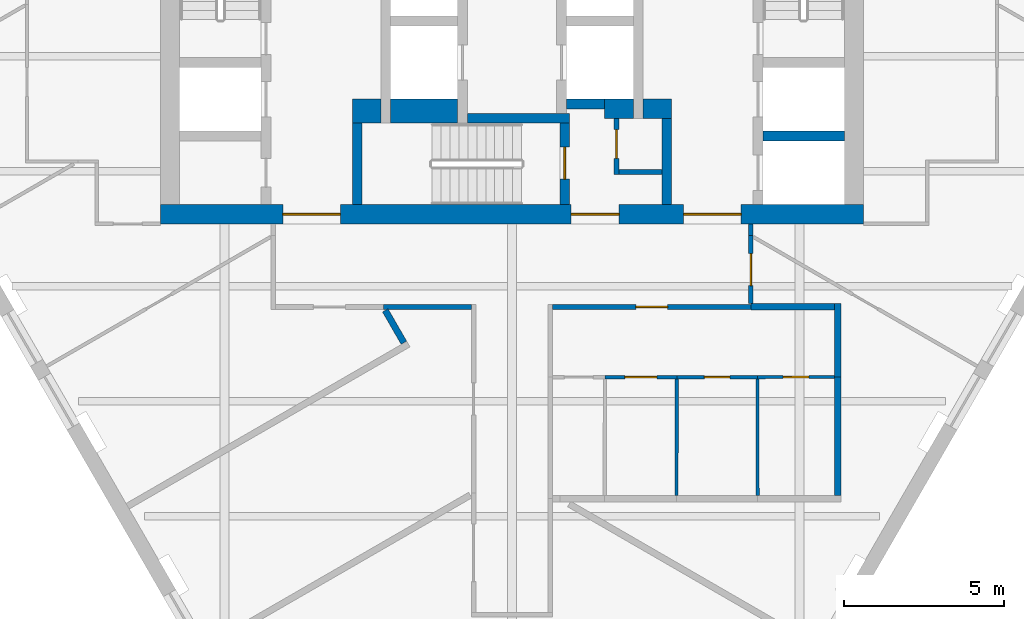
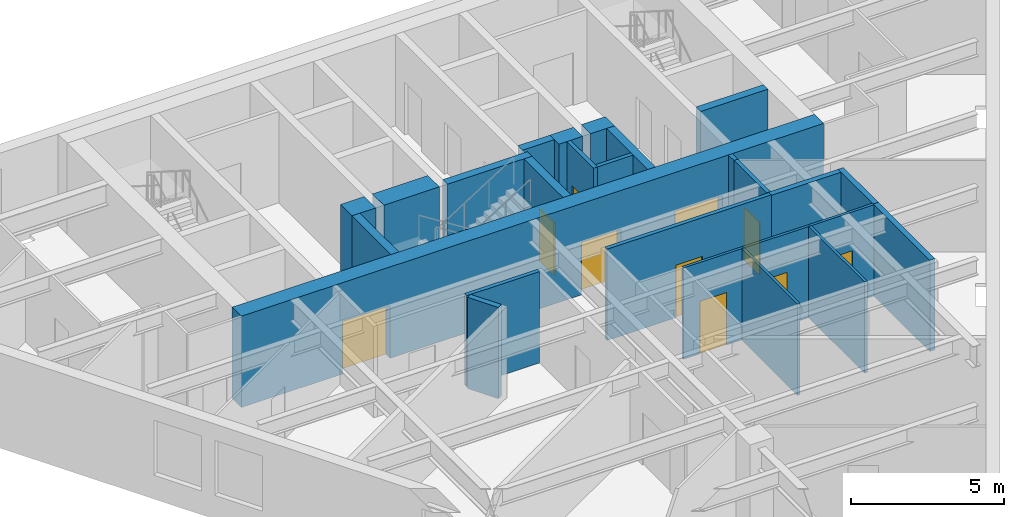
# One storey, part 3 of 7: 26 walls, 10 doors, 10 openings.
"""IFC4 building model written with IfcOpenShell, lengths in metres."""

from ifc_helpers import new_model, si_unit, direction, frame, frame_2d, origin, place, context, subcontext, project, spatial, rectangle, extrude, material, layer, layer_set, type_object, element, fill, save


model = new_model("IFC4")

# Units and contexts
model_context = context("Model", 3, precision=1e-05, world=origin(), true_north=direction((0.0, 1.0)))
body_context = subcontext(model_context, "Body", "Model", "MODEL_VIEW")
ifc_project = project(units=[si_unit("LENGTHUNIT", "METRE"), si_unit("AREAUNIT", "SQUARE_METRE"), si_unit("VOLUMEUNIT", "CUBIC_METRE"), si_unit("PLANEANGLEUNIT", "RADIAN"), si_unit("MASSUNIT", "GRAM", prefix="KILO")], contexts=[model_context])

# Site, building, storey
site_placement = place(None, origin())
site = spatial("IfcSite", under=ifc_project, at=site_placement, CompositionType="ELEMENT")
building_placement = place(site_placement, origin())
building = spatial("IfcBuilding", under=site, at=building_placement, Name="Aloe Facet Convention Tower", CompositionType="ELEMENT")
storey_placement = place(building_placement, frame((0.0, 0.0, 171.5)))
storey = spatial("IfcBuildingStorey", under=building, at=storey_placement, Name="L43", CompositionType="ELEMENT", Elevation=171.5)

# Wall, opening, door
ifc_material_1 = material(Name="Concrete blockwork partition", Category="masonry")
ifc_layer_1 = layer(ifc_material_1, 0.14990234375)
ifc_layer_set_1 = layer_set([ifc_layer_1], Name="CR-W-PART150")
wall_type_1 = type_object("IfcWallType", Name="CR-W-PART150", PredefinedType="PARTITIONING", material=ifc_layer_set_1)
wall_1_placement = place(storey_placement, frame((83.27490234375, 125.85009765625, 0.0), z_axis=(0.0, 0.0, 1.0), x_axis=(0.0, -1.0, 0.0)))
wall_1 = element("IfcWall", 1, at=wall_1_placement, inside=storey, type_object=wall_type_1, Name="Core partition L43-022", PredefinedType="PARTITIONING", context=body_context, shape_type="SweptSolid", body=[
    extrude(rectangle(XDim=1.75, YDim=0.14990234375, at=frame_2d((0.875, 0.0))), origin(), (0.0, 0.0, 1.0), 3.64990234375),
])
opening_1_placement = place(wall_1_placement, frame((0.35009765625, 0.0, 0.0)))
opening_1 = element("IfcOpeningElement", 2, at=opening_1_placement, cuts=wall_1, Name="Opening L43-CD12", PredefinedType="OPENING", context=body_context, shape_type="SweptSolid", body=[
    extrude(rectangle(XDim=0.89990234375, YDim=2.10009765625, at=frame_2d((0.449951171875, 1.050048828125))), frame((0.0, 0.0849609375, 0.0), z_axis=(0.0, -1.0, 0.0), x_axis=(1.0, 0.0, 0.0)), (0.0, 0.0, 1.0), 0.169921875),
])
ifc_material_2 = material(Name="Steel fire-resisting door set FD60", Category="steel")
door_type_1 = type_object("IfcDoorType", Name="CR-D-REFUGE-900-FD60-SRIGHT", OperationType="SINGLE_SWING_RIGHT", PredefinedType="DOOR", material=ifc_material_2)
door_1_placement = place(opening_1_placement, origin())
door_1 = element("IfcDoor", 3, at=door_1_placement, inside=storey, type_object=door_type_1, Name="Core door L43-CD12", OperationType="SINGLE_SWING_RIGHT", OverallHeight=2.10009765625, OverallWidth=0.89990234375, PredefinedType="DOOR", context=body_context, shape_type="SweptSolid", body=[
    extrude(rectangle(XDim=0.89990234375, YDim=2.10009765625, at=frame_2d((0.449951171875, 1.050048828125))), frame((0.0, 0.02490234375, 0.0), z_axis=(0.0, -1.0, 0.0), x_axis=(1.0, 0.0, 0.0)), (0.0, 0.0, 1.0), 0.050048828125),
])
fill(opening_1, door_1)

# Walls
wall_2_placement = place(storey_placement, frame((83.35009765625, 124.175048828125, 0.0), z_axis=(0.0, 0.0, 1.0), x_axis=(1.0, 0.0, 0.0)))
element("IfcWall", 4, at=wall_2_placement, inside=storey, type_object=wall_type_1, Name="Core partition L43-023", PredefinedType="PARTITIONING", context=body_context, shape_type="SweptSolid", body=[
    extrude(rectangle(XDim=1.349853515625, YDim=0.14990234375, at=frame_2d((0.6748046875, 0.0))), origin(), (0.0, 0.0, 1.0), 3.64990234375),
])
ifc_material_3 = material(Name="Concrete C60/75", Category="concrete")
ifc_layer_2 = layer(ifc_material_3, 0.300048828125)
ifc_layer_set_2 = layer_set([ifc_layer_2], Name="CR-W-RC300-C6075")
wall_type_2 = type_object("IfcWallType", Name="CR-W-RC300-C6075", PredefinedType="SOLIDWALL", material=ifc_layer_set_2)
wall_3_placement = place(storey_placement, frame((75.14990234375, 125.699951171875, 0.0), z_axis=(0.0, 0.0, 1.0), x_axis=(0.0, -1.0, 0.0)))
element("IfcWall", 5, at=wall_3_placement, inside=storey, type_object=wall_type_2, Name="Core wall L43-009", PredefinedType="SOLIDWALL", context=body_context, shape_type="SweptSolid", body=[
    extrude(rectangle(XDim=2.550048828125, YDim=0.300048828125, at=frame_2d((1.27490234375, 0.0))), origin(), (0.0, 0.0, 1.0), 3.64990234375),
])
wall_4_placement = place(storey_placement, frame((78.60009765625, 125.85009765625, 0.0), z_axis=(0.0, 0.0, 1.0), x_axis=(1.0, 0.0, 0.0)))
element("IfcWall", 6, at=wall_4_placement, inside=storey, type_object=wall_type_2, Name="Core wall L43-015", PredefinedType="SOLIDWALL", context=body_context, shape_type="SweptSolid", body=[
    extrude(rectangle(XDim=3.199951171875, YDim=0.300048828125, at=frame_2d((1.60009765625, 0.0))), origin(), (0.0, 0.0, 1.0), 3.64990234375),
])

# Wall, opening, door
wall_5_placement = place(storey_placement, frame((81.64990234375, 125.699951171875, 0.0), z_axis=(0.0, 0.0, 1.0), x_axis=(0.0, -1.0, 0.0)))
wall_5 = element("IfcWall", 7, at=wall_5_placement, inside=storey, type_object=wall_type_2, Name="Core wall L43-017", PredefinedType="SOLIDWALL", context=body_context, shape_type="SweptSolid", body=[
    extrude(rectangle(XDim=2.550048828125, YDim=0.300048828125, at=frame_2d((1.27490234375, 0.0))), origin(), (0.0, 0.0, 1.0), 3.64990234375),
])
opening_2_placement = place(wall_5_placement, frame((0.75, 0.0, 0.0)))
opening_2 = element("IfcOpeningElement", 8, at=opening_2_placement, cuts=wall_5, Name="Opening L43-CD18", PredefinedType="OPENING", context=body_context, shape_type="SweptSolid", body=[
    extrude(rectangle(XDim=1.0, YDim=2.10009765625, at=frame_2d((0.5, 1.050048828125))), frame((0.0, 0.16015625, 0.0), z_axis=(0.0, -1.0, 0.0), x_axis=(1.0, 0.0, 0.0)), (0.0, 0.0, 1.0), 0.320068359375),
])
ifc_material_4 = material(Name="Steel fire-resisting door set FD120", Category="steel")
door_type_2 = type_object("IfcDoorType", Name="CR-D-STAIR-1000-FD120-SLEFT", OperationType="SINGLE_SWING_LEFT", PredefinedType="DOOR", material=ifc_material_4)
door_2_placement = place(opening_2_placement, origin())
door_2 = element("IfcDoor", 9, at=door_2_placement, inside=storey, type_object=door_type_2, Name="Core door L43-CD18", OperationType="SINGLE_SWING_LEFT", OverallHeight=2.10009765625, OverallWidth=1.0, PredefinedType="DOOR", context=body_context, shape_type="SweptSolid", body=[
    extrude(rectangle(XDim=1.0, YDim=2.10009765625, at=frame_2d((0.5, 1.050048828125))), frame((0.0, 0.02490234375, 0.0), z_axis=(0.0, -1.0, 0.0), x_axis=(1.0, 0.0, 0.0)), (0.0, 0.0, 1.0), 0.050048828125),
])
fill(opening_2, door_2)

# Walls
wall_6_placement = place(storey_placement, frame((81.699951171875, 126.300048828125, 0.0), z_axis=(0.0, 0.0, 1.0), x_axis=(1.0, 0.0, 0.0)))
element("IfcWall", 10, at=wall_6_placement, inside=storey, type_object=wall_type_2, Name="Core wall L43-020", PredefinedType="SOLIDWALL", context=body_context, shape_type="SweptSolid", body=[
    extrude(rectangle(XDim=1.199951171875, YDim=0.300048828125, at=frame_2d((0.60009765625, 0.0))), origin(), (0.0, 0.0, 1.0), 3.64990234375),
])
wall_7_placement = place(storey_placement, frame((84.85009765625, 125.85009765625, 0.0), z_axis=(0.0, 0.0, 1.0), x_axis=(0.0, -1.0, 0.0)))
element("IfcWall", 11, at=wall_7_placement, inside=storey, type_object=wall_type_2, Name="Core wall L43-027", PredefinedType="SOLIDWALL", context=body_context, shape_type="SweptSolid", body=[
    extrude(rectangle(XDim=2.7001953125, YDim=0.300048828125, at=frame_2d((1.35009765625, 0.0))), origin(), (0.0, 0.0, 1.0), 3.64990234375),
])
wall_8_placement = place(storey_placement, frame((87.85009765625, 125.300048828125, 0.0), z_axis=(0.0, 0.0, 1.0), x_axis=(1.0, 0.0, 0.0)))
element("IfcWall", 12, at=wall_8_placement, inside=storey, type_object=wall_type_2, Name="Core wall L43-030", PredefinedType="SOLIDWALL", context=body_context, shape_type="SweptSolid", body=[
    extrude(rectangle(XDim=2.5498046875, YDim=0.300048828125, at=frame_2d((1.27490234375, 0.0))), origin(), (0.0, 0.0, 1.0), 3.64990234375),
])

# Wall, openings, doors
ifc_material_5 = material(Name="Concrete C60/75", Category="concrete")
ifc_layer_3 = layer(ifc_material_5, 0.60009765625)
ifc_layer_set_3 = layer_set([ifc_layer_3], Name="CR-W-RC600-C6075")
wall_type_3 = type_object("IfcWallType", Name="CR-W-RC600-C6075", PredefinedType="SOLIDWALL", material=ifc_layer_set_3)
wall_9_placement = place(storey_placement, frame((69.0, 122.85009765625, 0.0), z_axis=(0.0, 0.0, 1.0), x_axis=(1.0, 0.0, 0.0)))
wall_9 = element("IfcWall", 13, at=wall_9_placement, inside=storey, type_object=wall_type_3, Name="Core wall L43-003", PredefinedType="SOLIDWALL", context=body_context, shape_type="SweptSolid", body=[
    extrude(rectangle(XDim=22.0, YDim=0.60009765625, at=frame_2d((11.0, 0.0))), origin(), (0.0, 0.0, 1.0), 3.64990234375),
])
opening_3_placement = place(wall_9_placement, frame((16.375, 0.0, 0.0)))
opening_3 = element("IfcOpeningElement", 14, at=opening_3_placement, cuts=wall_9, Name="Opening L43-CD09", PredefinedType="OPENING", context=body_context, shape_type="SweptSolid", body=[
    extrude(rectangle(XDim=1.800048828125, YDim=2.10009765625, at=frame_2d((0.89990234375, 1.050048828125))), frame((0.0, 0.31005859375, 0.0), z_axis=(0.0, -1.0, 0.0), x_axis=(1.0, 0.0, 0.0)), (0.0, 0.0, 1.0), 0.6201171875),
])
opening_4_placement = place(wall_9_placement, frame((3.824951171875, 0.0, 0.0)))
opening_4 = element("IfcOpeningElement", 15, at=opening_4_placement, cuts=wall_9, Name="Opening L43-CD10", PredefinedType="OPENING", context=body_context, shape_type="SweptSolid", body=[
    extrude(rectangle(XDim=1.800048828125, YDim=2.10009765625, at=frame_2d((0.89990234375, 1.050048828125))), frame((0.0, 0.31005859375, 0.0), z_axis=(0.0, -1.0, 0.0), x_axis=(1.0, 0.0, 0.0)), (0.0, 0.0, 1.0), 0.6201171875),
])
opening_5_placement = place(wall_9_placement, frame((12.85009765625, 0.0, 0.0)))
opening_5 = element("IfcOpeningElement", 16, at=opening_5_placement, cuts=wall_9, Name="Opening L43-CD11", PredefinedType="OPENING", context=body_context, shape_type="SweptSolid", body=[
    extrude(rectangle(XDim=1.5, YDim=2.10009765625, at=frame_2d((0.75, 1.050048828125))), frame((0.0, 0.31005859375, 0.0), z_axis=(0.0, -1.0, 0.0), x_axis=(1.0, 0.0, 0.0)), (0.0, 0.0, 1.0), 0.6201171875),
])
ifc_material_6 = material(Name="Steel fire-resisting door set FD60", Category="steel")
door_type_3 = type_object("IfcDoorType", Name="CR-D-EXIT-1500-FD60-DD", OperationType="DOUBLE_DOOR_DOUBLE_SWING", PredefinedType="DOOR", material=ifc_material_6)
door_3_placement = place(opening_5_placement, origin())
door_3 = element("IfcDoor", 17, at=door_3_placement, inside=storey, type_object=door_type_3, Name="Core door L43-CD11", OperationType="DOUBLE_DOOR_DOUBLE_SWING", OverallHeight=2.10009765625, OverallWidth=1.5, PredefinedType="DOOR", context=body_context, shape_type="SweptSolid", body=[
    extrude(rectangle(XDim=1.5, YDim=2.10009765625, at=frame_2d((0.75, 1.050048828125))), frame((0.0, 0.02490234375, 0.0), z_axis=(0.0, -1.0, 0.0), x_axis=(1.0, 0.0, 0.0)), (0.0, 0.0, 1.0), 0.050048828125),
])
fill(opening_5, door_3)
ifc_material_7 = material(Name="Steel fire-resisting door set FD120", Category="steel")
door_type_4 = type_object("IfcDoorType", Name="CR-D-EXIT-1800-FD120-DD", OperationType="DOUBLE_DOOR_DOUBLE_SWING", PredefinedType="DOOR", material=ifc_material_7)
door_4_placement = place(opening_3_placement, origin())
door_4 = element("IfcDoor", 18, at=door_4_placement, inside=storey, type_object=door_type_4, Name="Core door L43-CD09", OperationType="DOUBLE_DOOR_DOUBLE_SWING", OverallHeight=2.10009765625, OverallWidth=1.800048828125, PredefinedType="DOOR", context=body_context, shape_type="SweptSolid", body=[
    extrude(rectangle(XDim=1.800048828125, YDim=2.10009765625, at=frame_2d((0.89990234375, 1.050048828125))), frame((0.0, 0.02490234375, 0.0), z_axis=(0.0, -1.0, 0.0), x_axis=(1.0, 0.0, 0.0)), (0.0, 0.0, 1.0), 0.050048828125),
])
fill(opening_3, door_4)
door_5_placement = place(opening_4_placement, origin())
door_5 = element("IfcDoor", 19, at=door_5_placement, inside=storey, type_object=door_type_4, Name="Core door L43-CD10", OperationType="DOUBLE_DOOR_DOUBLE_SWING", OverallHeight=2.10009765625, OverallWidth=1.800048828125, PredefinedType="DOOR", context=body_context, shape_type="SweptSolid", body=[
    extrude(rectangle(XDim=1.800048828125, YDim=2.10009765625, at=frame_2d((0.89990234375, 1.050048828125))), frame((0.0, 0.02490234375, 0.0), z_axis=(0.0, -1.0, 0.0), x_axis=(1.0, 0.0, 0.0)), (0.0, 0.0, 1.0), 0.050048828125),
])
fill(opening_4, door_5)

# Walls
wall_10_placement = place(storey_placement, frame((82.89990234375, 126.14990234375, 0.0), z_axis=(0.0, 0.0, 1.0), x_axis=(1.0, 0.0, 0.0)))
element("IfcWall", 20, at=wall_10_placement, inside=storey, type_object=wall_type_3, Name="Core wall L43-021", PredefinedType="SOLIDWALL", context=body_context, shape_type="SweptSolid", body=[
    extrude(rectangle(XDim=0.900146484375, YDim=0.60009765625, at=frame_2d((0.4501953125, 0.0))), origin(), (0.0, 0.0, 1.0), 3.64990234375),
])
wall_11_placement = place(storey_placement, frame((84.10009765625, 126.14990234375, 0.0), z_axis=(0.0, 0.0, 1.0), x_axis=(1.0, 0.0, 0.0)))
element("IfcWall", 21, at=wall_11_placement, inside=storey, type_object=wall_type_3, Name="Core wall L43-026", PredefinedType="SOLIDWALL", context=body_context, shape_type="SweptSolid", body=[
    extrude(rectangle(XDim=0.89990234375, YDim=0.60009765625, at=frame_2d((0.449951171875, 0.0))), origin(), (0.0, 0.0, 1.0), 3.64990234375),
])
ifc_material_8 = material(Name="Concrete C60/75", Category="concrete")
ifc_layer_4 = layer(ifc_material_8, 0.75)
ifc_layer_set_4 = layer_set([ifc_layer_4], Name="CR-W-RC750-C6075")
wall_type_4 = type_object("IfcWallType", Name="CR-W-RC750-C6075", PredefinedType="SOLIDWALL", material=ifc_layer_set_4)
wall_12_placement = place(storey_placement, frame((75.0, 126.074951171875, 0.0), z_axis=(0.0, 0.0, 1.0), x_axis=(1.0, 0.0, 0.0)))
element("IfcWall", 22, at=wall_12_placement, inside=storey, type_object=wall_type_4, Name="Core wall L43-008", PredefinedType="SOLIDWALL", context=body_context, shape_type="SweptSolid", body=[
    extrude(rectangle(XDim=0.89990234375, YDim=0.75, at=frame_2d((0.449951171875, 0.0))), origin(), (0.0, 0.0, 1.0), 3.64990234375),
])
wall_13_placement = place(storey_placement, frame((76.199951171875, 126.074951171875, 0.0), z_axis=(0.0, 0.0, 1.0), x_axis=(1.0, 0.0, 0.0)))
element("IfcWall", 23, at=wall_13_placement, inside=storey, type_object=wall_type_4, Name="Core wall L43-013", PredefinedType="SOLIDWALL", context=body_context, shape_type="SweptSolid", body=[
    extrude(rectangle(XDim=2.10009765625, YDim=0.75, at=frame_2d((1.050048828125, 0.0))), origin(), (0.0, 0.0, 1.0), 3.64990234375),
])
ifc_material_9 = material(Name="Gypsum board partition on steel studs", Category="steel")
ifc_layer_5 = layer(ifc_material_9, 0.14990234375)
ifc_layer_set_5 = layer_set([ifc_layer_5], Name="IN-W-CORR")
wall_type_5 = type_object("IfcWallType", Name="IN-W-CORR", PredefinedType="PARTITIONING", material=ifc_layer_set_5)
wall_14_placement = place(storey_placement, frame((75.970458984375, 119.949951171875, 0.0), z_axis=(0.0, 0.0, 1.0), x_axis=(1.0, 0.0, 0.0)))
element("IfcWall", 24, at=wall_14_placement, inside=storey, type_object=wall_type_5, Name="Partition L43-W030", PredefinedType="PARTITIONING", context=body_context, shape_type="SweptSolid", body=[
    extrude(rectangle(XDim=2.754638671875, YDim=0.14990234375, at=frame_2d((1.37744140625, 0.0))), origin(), (0.0, 0.0, 1.0), 3.64990234375),
])

# Wall, opening, door
wall_15_placement = place(storey_placement, frame((81.27490234375, 119.949951171875, 0.0), z_axis=(0.0, 0.0, 1.0), x_axis=(1.0, 0.0, 0.0)))
wall_15 = element("IfcWall", 25, at=wall_15_placement, inside=storey, type_object=wall_type_5, Name="Partition L43-W032", PredefinedType="PARTITIONING", context=body_context, shape_type="SweptSolid", body=[
    extrude(rectangle(XDim=6.2001953125, YDim=0.14990234375, at=frame_2d((3.10009765625, 0.0))), origin(), (0.0, 0.0, 1.0), 3.64990234375),
])
opening_6_placement = place(wall_15_placement, frame((2.60009765625, 0.0, 0.0)))
opening_6 = element("IfcOpeningElement", 26, at=opening_6_placement, cuts=wall_15, Name="Opening L43-001", PredefinedType="OPENING", context=body_context, shape_type="SweptSolid", body=[
    extrude(rectangle(XDim=1.0, YDim=2.10009765625, at=frame_2d((0.5, 1.050048828125))), frame((0.0, 0.0849609375, 0.0), z_axis=(0.0, -1.0, 0.0), x_axis=(1.0, 0.0, 0.0)), (0.0, 0.0, 1.0), 0.169921875),
])
ifc_material_10 = material(Name="Timber door FD30S with vision panel", Category="wood")
door_type_5 = type_object("IfcDoorType", Name="IN-OFF-D-ENTRY", OperationType="SINGLE_SWING_LEFT", PredefinedType="DOOR", material=ifc_material_10)
door_6_placement = place(opening_6_placement, origin())
door_6 = element("IfcDoor", 27, at=door_6_placement, inside=storey, type_object=door_type_5, Name="Door L43-001", OperationType="SINGLE_SWING_LEFT", OverallHeight=2.10009765625, OverallWidth=1.0, PredefinedType="DOOR", context=body_context, shape_type="SweptSolid", body=[
    extrude(rectangle(XDim=1.0, YDim=2.10009765625, at=frame_2d((0.5, 1.050048828125))), frame((0.0, 0.02490234375, 0.0), z_axis=(0.0, -1.0, 0.0), x_axis=(1.0, 0.0, 0.0)), (0.0, 0.0, 1.0), 0.050048828125),
])
fill(opening_6, door_6)

wall_16_placement = place(storey_placement, frame((87.47509765625, 120.050048828125, 0.0), z_axis=(0.0, 0.0, 1.0), x_axis=(0.0, 1.0, 0.0)))
wall_16 = element("IfcWall", 28, at=wall_16_placement, inside=storey, type_object=wall_type_5, Name="Partition L43-W035", PredefinedType="PARTITIONING", context=body_context, shape_type="SweptSolid", body=[
    extrude(rectangle(XDim=2.134765625, YDim=0.14990234375, at=frame_2d((1.0673828125, 0.0))), origin(), (0.0, 0.0, 1.0), 3.64990234375),
])
opening_7_placement = place(wall_16_placement, frame((0.5673828125, 0.0, 0.0)))
opening_7 = element("IfcOpeningElement", 29, at=opening_7_placement, cuts=wall_16, Name="Opening L43-012", PredefinedType="OPENING", context=body_context, shape_type="SweptSolid", body=[
    extrude(rectangle(XDim=1.0, YDim=2.10009765625, at=frame_2d((0.5, 1.050048828125))), frame((0.0, 0.0849609375, 0.0), z_axis=(0.0, -1.0, 0.0), x_axis=(1.0, 0.0, 0.0)), (0.0, 0.0, 1.0), 0.169921875),
])
door_7_placement = place(opening_7_placement, origin())
door_7 = element("IfcDoor", 30, at=door_7_placement, inside=storey, type_object=door_type_5, Name="Door L43-012", OperationType="SINGLE_SWING_LEFT", OverallHeight=2.10009765625, OverallWidth=1.0, PredefinedType="DOOR", context=body_context, shape_type="SweptSolid", body=[
    extrude(rectangle(XDim=1.0, YDim=2.10009765625, at=frame_2d((0.5, 1.050048828125))), frame((0.0, 0.02490234375, 0.0), z_axis=(0.0, -1.0, 0.0), x_axis=(1.0, 0.0, 0.0)), (0.0, 0.0, 1.0), 0.050048828125),
])
fill(opening_7, door_7)

# Walls
wall_17_placement = place(storey_placement, frame((87.47509765625, 122.184814453125, 0.0), z_axis=(0.0, 0.0, 1.0), x_axis=(0.0, 1.0, 0.0)))
element("IfcWall", 31, at=wall_17_placement, inside=storey, type_object=wall_type_5, Name="Partition L43-W038", PredefinedType="PARTITIONING", context=body_context, shape_type="SweptSolid", body=[
    extrude(rectangle(XDim=0.365234375, YDim=0.14990234375, at=frame_2d((0.1826171875, 0.0))), origin(), (0.0, 0.0, 1.0), 3.64990234375),
])
ifc_material_11 = material(Name="Gypsum board partition on steel studs", Category="steel")
ifc_layer_6 = layer(ifc_material_11, 0.10009765625)
ifc_layer_set_6 = layer_set([ifc_layer_6], Name="IN-W-PART")
wall_type_6 = type_object("IfcWallType", Name="IN-W-PART", PredefinedType="PARTITIONING", material=ifc_layer_set_6)
wall_18_placement = place(storey_placement, frame((85.150146484375, 114.050048828125, 0.0), z_axis=(0.0, 0.0, 1.0), x_axis=(0.002675575707, 0.999996420641, 0.0)))
element("IfcWall", 32, at=wall_18_placement, inside=storey, type_object=wall_type_6, Name="Partition L43-W019", PredefinedType="PARTITIONING", context=body_context, shape_type="SweptSolid", body=[
    extrude(rectangle(XDim=3.64990234375, YDim=0.10009765625, at=frame_2d((1.824951171875, 0.0))), origin(), (0.0, 0.0, 1.0), 3.64990234375),
])

# Wall, opening, door
wall_19_placement = place(storey_placement, frame((82.909912109375, 117.75, 0.0), z_axis=(0.0, 0.0, 1.0), x_axis=(1.0, 0.0, 0.0)))
wall_19 = element("IfcWall", 33, at=wall_19_placement, inside=storey, type_object=wall_type_6, Name="Partition L43-W020", PredefinedType="PARTITIONING", context=body_context, shape_type="SweptSolid", body=[
    extrude(rectangle(XDim=2.25, YDim=0.10009765625, at=frame_2d((1.125, 0.0))), origin(), (0.0, 0.0, 1.0), 3.64990234375),
])
opening_8_placement = place(wall_19_placement, frame((0.625, 0.0, 0.0)))
opening_8 = element("IfcOpeningElement", 34, at=opening_8_placement, cuts=wall_19, Name="Opening L43-003", PredefinedType="OPENING", context=body_context, shape_type="SweptSolid", body=[
    extrude(rectangle(XDim=1.0, YDim=2.10009765625, at=frame_2d((0.5, 1.050048828125))), frame((0.0, 0.06005859375, 0.0), z_axis=(0.0, -1.0, 0.0), x_axis=(1.0, 0.0, 0.0)), (0.0, 0.0, 1.0), 0.1201171875),
])
ifc_material_12 = material(Name="Timber door", Category="wood")
door_type_6 = type_object("IfcDoorType", Name="IN-OFF-D-WIDE", OperationType="SINGLE_SWING_LEFT", PredefinedType="DOOR", material=ifc_material_12)
door_8_placement = place(opening_8_placement, origin())
door_8 = element("IfcDoor", 35, at=door_8_placement, inside=storey, type_object=door_type_6, Name="Door L43-003", OperationType="SINGLE_SWING_LEFT", OverallHeight=2.10009765625, OverallWidth=1.0, PredefinedType="DOOR", context=body_context, shape_type="SweptSolid", body=[
    extrude(rectangle(XDim=1.0, YDim=2.10009765625, at=frame_2d((0.5, 1.050048828125))), frame((0.0, 0.02490234375, 0.0), z_axis=(0.0, -1.0, 0.0), x_axis=(1.0, 0.0, 0.0)), (0.0, 0.0, 1.0), 0.050048828125),
])
fill(opening_8, door_8)

# Wall
wall_20_placement = place(storey_placement, frame((87.689697265625, 114.050048828125, 0.0), z_axis=(0.0, 0.0, 1.0), x_axis=(-0.002608686776, 0.999996597371, 0.0)))
element("IfcWall", 36, at=wall_20_placement, inside=storey, type_object=wall_type_6, Name="Partition L43-W021", PredefinedType="PARTITIONING", context=body_context, shape_type="SweptSolid", body=[
    extrude(rectangle(XDim=3.64990234375, YDim=0.10009765625, at=frame_2d((1.824951171875, 0.0))), origin(), (0.0, 0.0, 1.0), 3.64990234375),
])

# Wall, opening, door
wall_21_placement = place(storey_placement, frame((85.159912109375, 117.75, 0.0), z_axis=(0.0, 0.0, 1.0), x_axis=(1.0, 0.0, 0.0)))
wall_21 = element("IfcWall", 37, at=wall_21_placement, inside=storey, type_object=wall_type_6, Name="Partition L43-W022", PredefinedType="PARTITIONING", context=body_context, shape_type="SweptSolid", body=[
    extrude(rectangle(XDim=2.52001953125, YDim=0.10009765625, at=frame_2d((1.260009765625, 0.0))), origin(), (0.0, 0.0, 1.0), 3.64990234375),
])
opening_9_placement = place(wall_21_placement, frame((0.860107421875, 0.0, 0.0)))
opening_9 = element("IfcOpeningElement", 38, at=opening_9_placement, cuts=wall_21, Name="Opening L43-004", PredefinedType="OPENING", context=body_context, shape_type="SweptSolid", body=[
    extrude(rectangle(XDim=0.800048828125, YDim=2.10009765625, at=frame_2d((0.39990234375, 1.050048828125))), frame((0.0, 0.06005859375, 0.0), z_axis=(0.0, -1.0, 0.0), x_axis=(1.0, 0.0, 0.0)), (0.0, 0.0, 1.0), 0.1201171875),
])
ifc_material_13 = material(Name="Timber door", Category="wood")
door_type_7 = type_object("IfcDoorType", Name="IN-OFF-D-WC", OperationType="SINGLE_SWING_LEFT", PredefinedType="DOOR", material=ifc_material_13)
door_9_placement = place(opening_9_placement, origin())
door_9 = element("IfcDoor", 39, at=door_9_placement, inside=storey, type_object=door_type_7, Name="Door L43-004", OperationType="SINGLE_SWING_LEFT", OverallHeight=2.10009765625, OverallWidth=0.800048828125, PredefinedType="DOOR", context=body_context, shape_type="SweptSolid", body=[
    extrude(rectangle(XDim=0.800048828125, YDim=2.10009765625, at=frame_2d((0.39990234375, 1.050048828125))), frame((0.0, 0.02490234375, 0.0), z_axis=(0.0, -1.0, 0.0), x_axis=(1.0, 0.0, 0.0)), (0.0, 0.0, 1.0), 0.050048828125),
])
fill(opening_9, door_9)

wall_22_placement = place(storey_placement, frame((87.679931640625, 117.75, 0.0), z_axis=(0.0, 0.0, 1.0), x_axis=(0.999992261016, 0.003934197335, 0.0)))
wall_22 = element("IfcWall", 40, at=wall_22_placement, inside=storey, type_object=wall_type_6, Name="Partition L43-W023", PredefinedType="PARTITIONING", context=body_context, shape_type="SweptSolid", body=[
    extrude(rectangle(XDim=2.420166015625, YDim=0.10009765625, at=frame_2d((1.2099609375, 0.0))), origin(), (0.0, 0.0, 1.0), 3.64990234375),
])
opening_10_placement = place(wall_22_placement, frame((0.81005859375, 0.0, 0.0)))
opening_10 = element("IfcOpeningElement", 41, at=opening_10_placement, cuts=wall_22, Name="Opening L43-005", PredefinedType="OPENING", context=body_context, shape_type="SweptSolid", body=[
    extrude(rectangle(XDim=0.800048828125, YDim=2.10009765625, at=frame_2d((0.39990234375, 1.050048828125))), frame((0.0, 0.06005859375, 0.0), z_axis=(0.0, -1.0, 0.0), x_axis=(1.0, 0.0, 0.0)), (0.0, 0.0, 1.0), 0.1201171875),
])
door_10_placement = place(opening_10_placement, origin())
door_10 = element("IfcDoor", 42, at=door_10_placement, inside=storey, type_object=door_type_7, Name="Door L43-005", OperationType="SINGLE_SWING_LEFT", OverallHeight=2.10009765625, OverallWidth=0.800048828125, PredefinedType="DOOR", context=body_context, shape_type="SweptSolid", body=[
    extrude(rectangle(XDim=0.800048828125, YDim=2.10009765625, at=frame_2d((0.39990234375, 1.050048828125))), frame((0.0, 0.02490234375, 0.0), z_axis=(0.0, -1.0, 0.0), x_axis=(1.0, 0.0, 0.0)), (0.0, 0.0, 1.0), 0.050048828125),
])
fill(opening_10, door_10)

# Walls
ifc_material_14 = material(Name="Gypsum board partition on steel studs", Category="steel")
ifc_layer_7 = layer(ifc_material_14, 0.199951171875)
ifc_layer_set_7 = layer_set([ifc_layer_7], Name="IN-W-PARTY")
wall_type_7 = type_object("IfcWallType", Name="IN-W-PARTY", PredefinedType="PARTITIONING", material=ifc_layer_set_7)
wall_23_placement = place(storey_placement, frame((90.199951171875, 114.050048828125, 0.0), z_axis=(0.0, 0.0, 1.0), x_axis=(0.0, 1.0, 0.0)))
element("IfcWall", 43, at=wall_23_placement, inside=storey, type_object=wall_type_7, Name="Partition L43-W013", PredefinedType="PARTITIONING", context=body_context, shape_type="SweptSolid", body=[
    extrude(rectangle(XDim=3.7099609375, YDim=0.199951171875, at=frame_2d((1.85498046875, 0.0))), origin(), (0.0, 0.0, 1.0), 3.64990234375),
])
wall_24_placement = place(storey_placement, frame((90.199951171875, 117.760009765625, 0.0), z_axis=(0.0, 0.0, 1.0), x_axis=(0.0, 1.0, 0.0)))
element("IfcWall", 44, at=wall_24_placement, inside=storey, type_object=wall_type_7, Name="Partition L43-W016", PredefinedType="PARTITIONING", context=body_context, shape_type="SweptSolid", body=[
    extrude(rectangle(XDim=2.2900390625, YDim=0.199951171875, at=frame_2d((1.14501953125, 0.0))), origin(), (0.0, 0.0, 1.0), 3.64990234375),
])
wall_25_placement = place(storey_placement, frame((76.03271484375, 119.841552734375, 0.0), z_axis=(0.0, 0.0, 1.0), x_axis=(0.498883547335, -0.866669029214, 0.0)))
element("IfcWall", 45, at=wall_25_placement, inside=storey, type_object=wall_type_7, Name="Partition L43-W027", PredefinedType="PARTITIONING", context=body_context, shape_type="SweptSolid", body=[
    extrude(rectangle(XDim=1.167724609375, YDim=0.199951171875, at=frame_2d((0.583984375, 0.0))), origin(), (0.0, 0.0, 1.0), 3.64990234375),
])
wall_26_placement = place(storey_placement, frame((87.47509765625, 119.949951171875, 0.0), z_axis=(0.0, 0.0, 1.0), x_axis=(1.0, 0.0, 0.0)))
element("IfcWall", 46, at=wall_26_placement, inside=storey, type_object=wall_type_7, Name="Partition L43-W033", PredefinedType="PARTITIONING", context=body_context, shape_type="SweptSolid", body=[
    extrude(rectangle(XDim=2.625, YDim=0.199951171875, at=frame_2d((1.3125, 0.0))), origin(), (0.0, 0.0, 1.0), 3.64990234375),
])

save(model, "model.ifc")
